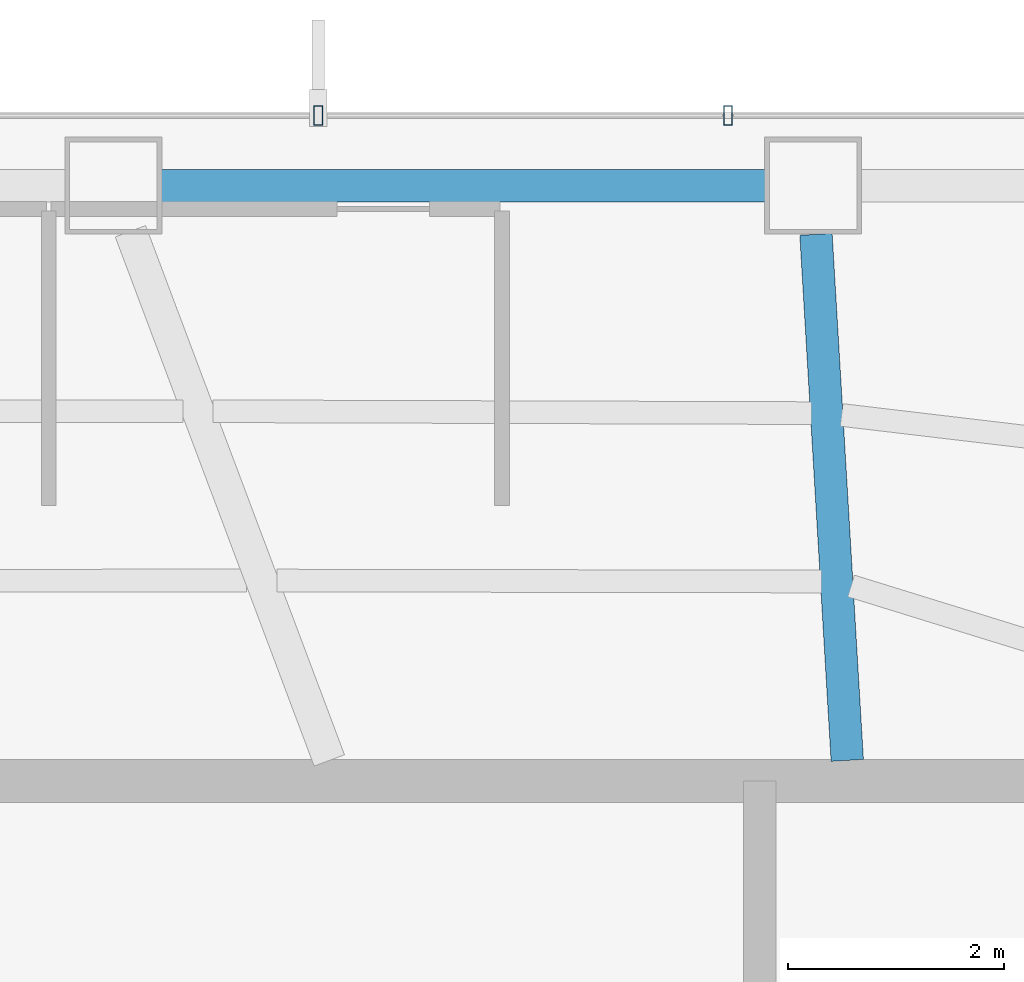
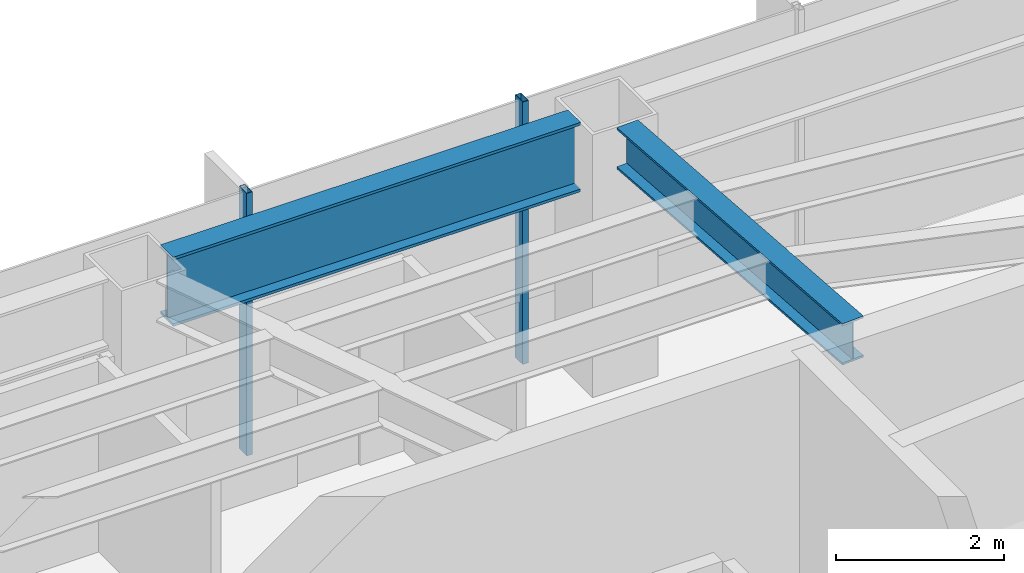
# One storey, part 14 of 25: 2 beams, 2 members, 1 element without a shape of its own.
"""IFC4 building model written with IfcOpenShell, lengths in metres."""

from ifc_helpers import new_model, si_unit, direction, frame, origin, origin_2d, place, context, subcontext, project, spatial, hollow_rectangle, i_section, extrude, material, layer, layer_set, material_profile, profile_set, type_object, element, aggregate, save


model = new_model("IFC4")

# Units and contexts
model_context = context("Model", 3, precision=1e-05, world=origin(), true_north=direction((0.0, 1.0)))
body_context = subcontext(model_context, "Body", "Model", "MODEL_VIEW")
ifc_project = project(units=[si_unit("LENGTHUNIT", "METRE"), si_unit("AREAUNIT", "SQUARE_METRE"), si_unit("VOLUMEUNIT", "CUBIC_METRE"), si_unit("PLANEANGLEUNIT", "RADIAN"), si_unit("MASSUNIT", "GRAM", prefix="KILO")], contexts=[model_context])

# Site, building, storey
site_placement = place(None, origin())
site = spatial("IfcSite", under=ifc_project, at=site_placement, CompositionType="ELEMENT")
building_placement = place(site_placement, origin())
building = spatial("IfcBuilding", under=site, at=building_placement, Name="Zarrinselat Tower", CompositionType="ELEMENT")
storey_placement = place(building_placement, frame((0.0, 0.0, 84.659912109375)))
storey = spatial("IfcBuildingStorey", under=building, at=storey_placement, Name="L20", CompositionType="ELEMENT", Elevation=84.659912109375)

# Beams
ifc_material_1 = material(Name="Steel S355J2", Category="steel")
ifc_material_profile_1 = material_profile(ifc_material_1, i_section(OverallWidth=0.300048828125, OverallDepth=0.60009765625, WebThickness=0.015380859375, FlangeThickness=0.030029296875, at=origin_2d()), Name="HEB 600")
ifc_profile_set_1 = profile_set([ifc_material_profile_1], Name="Steel S355J2")
beam_type_1 = type_object("IfcBeamType", Name="BM-HEB600", PredefinedType="BEAM", material=ifc_profile_set_1)
beam_1_placement = place(storey_placement, frame((45.510009765625, 48.515380859375, 3.52001953125), z_axis=(0.059384247152, -0.998235198333, 0.0), x_axis=(0.998235198333, 0.059384247152, 0.0)))
element("IfcBeam", 1, at=beam_1_placement, inside=storey, type_object=beam_type_1, Name="L20 Radial Primary Girder RG02", PredefinedType="BEAM", context=body_context, shape_type="SweptSolid", body=[
    extrude(i_section(OverallWidth=0.300048828125, OverallDepth=0.60009765625, WebThickness=0.015380859375, FlangeThickness=0.030029296875, at=origin_2d()), origin(), (0.0, 0.0, 1.0), 4.884033203125),
])
ifc_material_2 = material(Name="Steel S460M", Category="steel")
ifc_material_profile_2 = material_profile(ifc_material_2, i_section(OverallWidth=0.302001953125, OverallDepth=1.008056640625, WebThickness=0.02099609375, FlangeThickness=0.0400390625, at=origin_2d()), Name="HEM 1000")
ifc_profile_set_2 = profile_set([ifc_material_profile_2], Name="Steel S460M")
beam_type_2 = type_object("IfcBeamType", Name="BM-HEM1000", PredefinedType="BEAM", material=ifc_profile_set_2)
beam_2_placement = place(storey_placement, frame((39.43603515625, 48.966796875, 3.316162109375), z_axis=(1.0, 0.0, 0.0), x_axis=(0.0, 1.0, 0.0)))
element("IfcBeam", 2, at=beam_2_placement, inside=storey, type_object=beam_type_2, Name="L20 Perimeter Spandrel Girder SP02", PredefinedType="BEAM", context=body_context, shape_type="SweptSolid", body=[
    extrude(i_section(OverallWidth=0.302001953125, OverallDepth=1.008056640625, WebThickness=0.02099609375, FlangeThickness=0.0400390625, at=origin_2d()), origin(), (0.0, 0.0, 1.0), 5.609130859375),
])

# Curtain wall, members
ifc_material_3 = material(Name="Extruded Aluminium Alloy EN AW-6063 T6", Category="aluminium")
ifc_layer = layer(ifc_material_3, 0.18505859375)
ifc_layer_set = layer_set([ifc_layer], Name="Extruded Aluminium Alloy EN AW-6063 T6")
curtain_wall_type = type_object("IfcCurtainWallType", Name="CWS-OFF", PredefinedType="NOTDEFINED", material=ifc_layer_set)
curtain_wall_placement = place(storey_placement, origin())
curtain_wall = element("IfcCurtainWall", 3, at=curtain_wall_placement, inside=storey, type_object=curtain_wall_type, Name="L20 Unitised Curtain Wall CW-L20-E01", PredefinedType="NOTDEFINED")
ifc_material_4 = material(Name="Extruded Aluminium Alloy EN AW-6063 T6", Category="aluminium")
ifc_material_profile_3 = material_profile(ifc_material_4, hollow_rectangle(XDim=0.080078125, YDim=0.179931640625, WallThickness=0.0048828125, at=origin_2d()), Name="RHS 180x80x5")
ifc_profile_set_3 = profile_set([ifc_material_profile_3], Name="Extruded Aluminium Alloy EN AW-6063 T6")
member_type = type_object("IfcMemberType", Name="MEM-CW-MUL", PredefinedType="MULLION", material=ifc_profile_set_3)
member_1_placement = place(storey_placement, frame((44.6953125, 49.61669921875, 0.0), z_axis=(0.0, 0.0, 1.0), x_axis=(-1.0, 0.0, 0.0)))
member_1 = element("IfcMember", 4, at=member_1_placement, type_object=member_type, Name="CW-L20-E01 Mullion 2", PredefinedType="MULLION", context=body_context, shape_type="SweptSolid", body=[
    extrude(hollow_rectangle(XDim=0.080078125, YDim=0.179931640625, WallThickness=0.0048828125, at=origin_2d()), origin(), (0.0, 0.0, 1.0), 3.820068359375),
])
member_2_placement = place(storey_placement, frame((40.897216796875, 49.61669921875, 0.0), z_axis=(0.0, 0.0, 1.0), x_axis=(-1.0, 0.0, 0.0)))
member_2 = element("IfcMember", 5, at=member_2_placement, type_object=member_type, Name="CW-L20-E01 Mullion 3", PredefinedType="MULLION", context=body_context, shape_type="SweptSolid", body=[
    extrude(hollow_rectangle(XDim=0.080078125, YDim=0.179931640625, WallThickness=0.0048828125, at=origin_2d()), origin(), (0.0, 0.0, 1.0), 3.820068359375),
])
aggregate(curtain_wall, [member_1, member_2])

save(model, "model.ifc")
